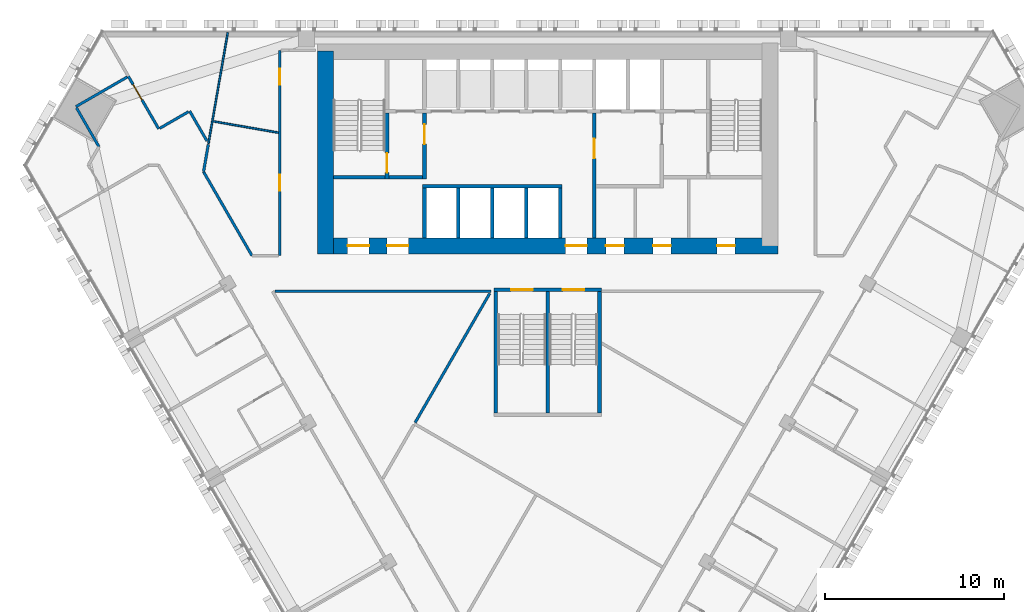
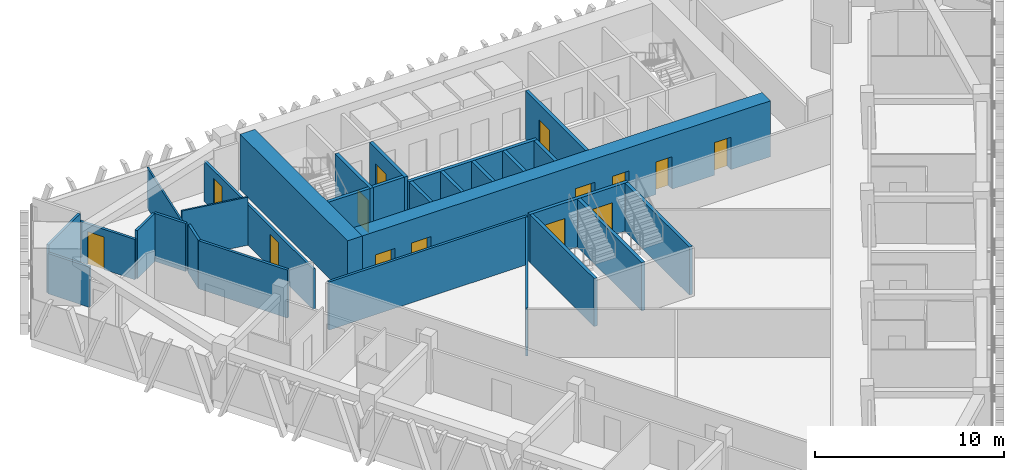
# One storey, part 11 of 16: 29 walls, 14 doors, 14 openings.
"""IFC4 building model written with IfcOpenShell, lengths in metres."""

from ifc_helpers import new_model, si_unit, direction, frame, frame_2d, origin, place, context, subcontext, project, spatial, rectangle, extrude, material, layer, layer_set, type_object, element, fill, save


model = new_model("IFC4")

# Units and contexts
model_context = context("Model", 3, precision=1e-05, world=origin(), true_north=direction((0.0, 1.0)))
body_context = subcontext(model_context, "Body", "Model", "MODEL_VIEW")
ifc_project = project(units=[si_unit("LENGTHUNIT", "METRE"), si_unit("AREAUNIT", "SQUARE_METRE"), si_unit("VOLUMEUNIT", "CUBIC_METRE"), si_unit("PLANEANGLEUNIT", "RADIAN"), si_unit("MASSUNIT", "GRAM", prefix="KILO")], contexts=[model_context])

# Site, building, storey
site_placement = place(None, origin())
site = spatial("IfcSite", under=ifc_project, at=site_placement, CompositionType="ELEMENT")
building_placement = place(site_placement, origin())
building = spatial("IfcBuilding", under=site, at=building_placement, Name="Altiplano Prism Tower", CompositionType="ELEMENT")
storey_placement = place(building_placement, frame((0.0, 0.0, 88.199951171875)))
storey = spatial("IfcBuildingStorey", under=building, at=storey_placement, Name="L22", CompositionType="ELEMENT", Elevation=88.199951171875)

# Wall, openings, doors
ifc_material_1 = material(Name="Concrete C70/85", Category="concrete")
ifc_layer_1 = layer(ifc_material_1, 0.89990234375)
ifc_layer_set_1 = layer_set([ifc_layer_1], Name="Concrete C70/85")
wall_type_1 = type_object("IfcWallType", Name="Core wall 900", PredefinedType="SHEAR", material=ifc_layer_set_1)
wall_1_placement = place(storey_placement, frame((72.550048828125, 92.949951171875, 0.0), z_axis=(0.0, 0.0, 1.0), x_axis=(1.0, 0.0, 0.0)))
wall_1 = element("IfcWall", 1, at=wall_1_placement, inside=storey, type_object=wall_type_1, Name="Core wall S L22", PredefinedType="SHEAR", context=body_context, shape_type="SweptSolid", body=[
    extrude(rectangle(XDim=25.349853515625, YDim=0.89990234375, at=frame_2d((12.6748046875, 0.0))), origin(), (0.0, 0.0, 1.0), 3.60009765625),
])
opening_1_placement = place(wall_1_placement, frame((1.25, 0.0, 0.0)))
opening_1 = element("IfcOpeningElement", 2, at=opening_1_placement, cuts=wall_1, Name="Opening D2887", PredefinedType="OPENING", context=body_context, shape_type="SweptSolid", body=[
    extrude(rectangle(XDim=1.199951171875, YDim=2.10009765625, at=frame_2d((0.60009765625, 1.050048828125))), frame((0.0, 0.46044921875, 0.0), z_axis=(0.0, -1.0, 0.0), x_axis=(1.0, 0.0, 0.0)), (0.0, 0.0, 1.0), 0.9208984375),
])
opening_2_placement = place(wall_1_placement, frame((3.449951171875, 0.0, 0.0)))
opening_2 = element("IfcOpeningElement", 3, at=opening_2_placement, cuts=wall_1, Name="Opening D2888", PredefinedType="OPENING", context=body_context, shape_type="SweptSolid", body=[
    extrude(rectangle(XDim=1.199951171875, YDim=2.10009765625, at=frame_2d((0.60009765625, 1.050048828125))), frame((0.0, 0.46044921875, 0.0), z_axis=(0.0, -1.0, 0.0), x_axis=(1.0, 0.0, 0.0)), (0.0, 0.0, 1.0), 0.9208984375),
])
opening_3_placement = place(wall_1_placement, frame((13.449951171875, 0.0, 0.0)))
opening_3 = element("IfcOpeningElement", 4, at=opening_3_placement, cuts=wall_1, Name="Opening D2889", PredefinedType="OPENING", context=body_context, shape_type="SweptSolid", body=[
    extrude(rectangle(XDim=1.199951171875, YDim=2.10009765625, at=frame_2d((0.60009765625, 1.050048828125))), frame((0.0, 0.46044921875, 0.0), z_axis=(0.0, -1.0, 0.0), x_axis=(1.0, 0.0, 0.0)), (0.0, 0.0, 1.0), 0.9208984375),
])
opening_4_placement = place(wall_1_placement, frame((15.71240234375, 0.0, 0.0)))
opening_4 = element("IfcOpeningElement", 5, at=opening_4_placement, cuts=wall_1, Name="Opening D2892", PredefinedType="OPENING", context=body_context, shape_type="SweptSolid", body=[
    extrude(rectangle(XDim=1.0, YDim=2.10009765625, at=frame_2d((0.5, 1.050048828125))), frame((0.0, 0.46044921875, 0.0), z_axis=(0.0, -1.0, 0.0), x_axis=(1.0, 0.0, 0.0)), (0.0, 0.0, 1.0), 0.9208984375),
])
opening_5_placement = place(wall_1_placement, frame((18.35009765625, 0.0, 0.0)))
opening_5 = element("IfcOpeningElement", 6, at=opening_5_placement, cuts=wall_1, Name="Opening D2893", PredefinedType="OPENING", context=body_context, shape_type="SweptSolid", body=[
    extrude(rectangle(XDim=1.0, YDim=2.10009765625, at=frame_2d((0.5, 1.050048828125))), frame((0.0, 0.46044921875, 0.0), z_axis=(0.0, -1.0, 0.0), x_axis=(1.0, 0.0, 0.0)), (0.0, 0.0, 1.0), 0.9208984375),
])
opening_6_placement = place(wall_1_placement, frame((21.9375, 0.0, 0.0)))
opening_6 = element("IfcOpeningElement", 7, at=opening_6_placement, cuts=wall_1, Name="Opening D2894", PredefinedType="OPENING", context=body_context, shape_type="SweptSolid", body=[
    extrude(rectangle(XDim=1.0, YDim=2.10009765625, at=frame_2d((0.5, 1.050048828125))), frame((0.0, 0.46044921875, 0.0), z_axis=(0.0, -1.0, 0.0), x_axis=(1.0, 0.0, 0.0)), (0.0, 0.0, 1.0), 0.9208984375),
])
ifc_material_2 = material(Name="Fire-rated steel door", Category="steel")
door_type_1 = type_object("IfcDoorType", Name="Core room door 1000 x 2100", OperationType="NOTDEFINED", PredefinedType="NOTDEFINED", material=ifc_material_2)
door_1_placement = place(opening_4_placement, origin())
door_1 = element("IfcDoor", 8, at=door_1_placement, inside=storey, type_object=door_type_1, Name="Core room door D2892", OperationType="SINGLE_SWING_RIGHT", OverallHeight=2.10009765625, OverallWidth=1.0, PredefinedType="NOTDEFINED", context=body_context, shape_type="SweptSolid", body=[
    extrude(rectangle(XDim=1.0, YDim=2.10009765625, at=frame_2d((0.5, 1.050048828125))), frame((0.0, 0.02490234375, 0.0), z_axis=(0.0, -1.0, 0.0), x_axis=(1.0, 0.0, 0.0)), (0.0, 0.0, 1.0), 0.050048828125),
])
fill(opening_4, door_1)
door_2_placement = place(opening_5_placement, origin())
door_2 = element("IfcDoor", 9, at=door_2_placement, inside=storey, type_object=door_type_1, Name="Core room door D2893", OperationType="SINGLE_SWING_LEFT", OverallHeight=2.10009765625, OverallWidth=1.0, PredefinedType="NOTDEFINED", context=body_context, shape_type="SweptSolid", body=[
    extrude(rectangle(XDim=1.0, YDim=2.10009765625, at=frame_2d((0.5, 1.050048828125))), frame((0.0, 0.02490234375, 0.0), z_axis=(0.0, -1.0, 0.0), x_axis=(1.0, 0.0, 0.0)), (0.0, 0.0, 1.0), 0.050048828125),
])
fill(opening_5, door_2)
door_3_placement = place(opening_6_placement, origin())
door_3 = element("IfcDoor", 10, at=door_3_placement, inside=storey, type_object=door_type_1, Name="Core room door D2894", OperationType="SINGLE_SWING_RIGHT", OverallHeight=2.10009765625, OverallWidth=1.0, PredefinedType="NOTDEFINED", context=body_context, shape_type="SweptSolid", body=[
    extrude(rectangle(XDim=1.0, YDim=2.10009765625, at=frame_2d((0.5, 1.050048828125))), frame((0.0, 0.02490234375, 0.0), z_axis=(0.0, -1.0, 0.0), x_axis=(1.0, 0.0, 0.0)), (0.0, 0.0, 1.0), 0.050048828125),
])
fill(opening_6, door_3)
door_type_2 = type_object("IfcDoorType", Name="Lobby fire door 1200 x 2100", OperationType="NOTDEFINED", PredefinedType="NOTDEFINED", material=ifc_material_2)
door_4_placement = place(opening_1_placement, origin())
door_4 = element("IfcDoor", 11, at=door_4_placement, inside=storey, type_object=door_type_2, Name="Lobby fire door D2887", OperationType="SINGLE_SWING_RIGHT", OverallHeight=2.10009765625, OverallWidth=1.199951171875, PredefinedType="NOTDEFINED", context=body_context, shape_type="SweptSolid", body=[
    extrude(rectangle(XDim=1.199951171875, YDim=2.10009765625, at=frame_2d((0.60009765625, 1.050048828125))), frame((0.0, 0.02490234375, 0.0), z_axis=(0.0, -1.0, 0.0), x_axis=(1.0, 0.0, 0.0)), (0.0, 0.0, 1.0), 0.050048828125),
])
fill(opening_1, door_4)
door_5_placement = place(opening_2_placement, origin())
door_5 = element("IfcDoor", 12, at=door_5_placement, inside=storey, type_object=door_type_2, Name="Lobby fire door D2888", OperationType="SINGLE_SWING_LEFT", OverallHeight=2.10009765625, OverallWidth=1.199951171875, PredefinedType="NOTDEFINED", context=body_context, shape_type="SweptSolid", body=[
    extrude(rectangle(XDim=1.199951171875, YDim=2.10009765625, at=frame_2d((0.60009765625, 1.050048828125))), frame((0.0, 0.02490234375, 0.0), z_axis=(0.0, -1.0, 0.0), x_axis=(1.0, 0.0, 0.0)), (0.0, 0.0, 1.0), 0.050048828125),
])
fill(opening_2, door_5)
door_6_placement = place(opening_3_placement, origin())
door_6 = element("IfcDoor", 13, at=door_6_placement, inside=storey, type_object=door_type_2, Name="Lobby fire door D2889", OperationType="SINGLE_SWING_RIGHT", OverallHeight=2.10009765625, OverallWidth=1.199951171875, PredefinedType="NOTDEFINED", context=body_context, shape_type="SweptSolid", body=[
    extrude(rectangle(XDim=1.199951171875, YDim=2.10009765625, at=frame_2d((0.60009765625, 1.050048828125))), frame((0.0, 0.02490234375, 0.0), z_axis=(0.0, -1.0, 0.0), x_axis=(1.0, 0.0, 0.0)), (0.0, 0.0, 1.0), 0.050048828125),
])
fill(opening_3, door_6)

# Walls
wall_2_placement = place(storey_placement, frame((72.550048828125, 103.85009765625, 0.0), z_axis=(0.0, 0.0, 1.0), x_axis=(0.0, -1.0, 0.0)))
element("IfcWall", 14, at=wall_2_placement, inside=storey, type_object=wall_type_1, Name="Core wall W L22", PredefinedType="SHEAR", context=body_context, shape_type="SweptSolid", body=[
    extrude(rectangle(XDim=11.35009765625, YDim=0.89990234375, at=frame_2d((5.675048828125, 0.0))), origin(), (0.0, 0.0, 1.0), 3.60009765625),
])
ifc_material_3 = material(Name="Plasterboard on steel stud", Category="steel")
ifc_layer_2 = layer(ifc_material_3, 0.10009765625)
ifc_layer_set_2 = layer_set([ifc_layer_2], Name="Plasterboard on steel stud")
wall_type_2 = type_object("IfcWallType", Name="Partition 100 wet", PredefinedType="PARTITIONING", material=ifc_layer_set_2)
wall_3_placement = place(storey_placement, frame((66.26611328125, 99.923828125, 0.0), z_axis=(0.0, 0.0, 1.0), x_axis=(0.985204499865, -0.17138288551, 0.0)))
element("IfcWall", 15, at=wall_3_placement, inside=storey, type_object=wall_type_2, Name="Partition P03 L22 045", PredefinedType="PARTITIONING", context=body_context, shape_type="SweptSolid", body=[
    extrude(rectangle(XDim=3.705322265625, YDim=0.10009765625, at=frame_2d((1.8525390625, 0.0))), origin(), (0.0, 0.0, 1.0), 3.10009765625),
])
wall_4_placement = place(storey_placement, frame((67.081298828125, 104.89990234375, 0.0), z_axis=(0.0, 0.0, 1.0), x_axis=(-0.171447216637, -0.985193306873, 0.0)))
element("IfcWall", 16, at=wall_4_placement, inside=storey, type_object=wall_type_2, Name="Partition P03 L22 046", PredefinedType="PARTITIONING", context=body_context, shape_type="SweptSolid", body=[
    extrude(rectangle(XDim=6.3154296875, YDim=0.10009765625, at=frame_2d((3.15771484375, 0.0))), origin(), (0.0, 0.0, 1.0), 2.60009765625),
])

# Wall, openings, doors
ifc_layer_3 = layer(ifc_material_3, 0.14990234375)
ifc_layer_set_3 = layer_set([ifc_layer_3], Name="Plasterboard on steel stud")
wall_type_3 = type_object("IfcWallType", Name="Partition 150 corridor", PredefinedType="PARTITIONING", material=ifc_layer_set_3)
wall_5_placement = place(storey_placement, frame((70.0, 103.89990234375, 0.0), z_axis=(0.0, 0.0, 1.0), x_axis=(0.0, -1.0, 0.0)))
wall_5 = element("IfcWall", 17, at=wall_5_placement, inside=storey, type_object=wall_type_3, Name="Partition P06 L22 003", PredefinedType="PARTITIONING", context=body_context, shape_type="SweptSolid", body=[
    extrude(rectangle(XDim=11.5, YDim=0.14990234375, at=frame_2d((5.75, 0.0))), origin(), (0.0, 0.0, 1.0), 2.60009765625),
])
opening_7_placement = place(wall_5_placement, frame((1.030029296875, 0.0, 0.0)))
opening_7 = element("IfcOpeningElement", 18, at=opening_7_placement, cuts=wall_5, Name="Opening D0816", PredefinedType="OPENING", context=body_context, shape_type="SweptSolid", body=[
    extrude(rectangle(XDim=0.89990234375, YDim=2.10009765625, at=frame_2d((0.449951171875, 1.050048828125))), frame((0.0, 0.08544921875, 0.0), z_axis=(0.0, -1.0, 0.0), x_axis=(1.0, 0.0, 0.0)), (0.0, 0.0, 1.0), 0.1708984375),
])
opening_8_placement = place(wall_5_placement, frame((6.964111328125, 0.0, 0.0)))
opening_8 = element("IfcOpeningElement", 19, at=opening_8_placement, cuts=wall_5, Name="Opening D0817", PredefinedType="OPENING", context=body_context, shape_type="SweptSolid", body=[
    extrude(rectangle(XDim=0.89990234375, YDim=2.10009765625, at=frame_2d((0.449951171875, 1.050048828125))), frame((0.0, 0.08544921875, 0.0), z_axis=(0.0, -1.0, 0.0), x_axis=(1.0, 0.0, 0.0)), (0.0, 0.0, 1.0), 0.1708984375),
])
ifc_material_4 = material(Name="Timber", Category="wood")
door_type_3 = type_object("IfcDoorType", Name="Toilet door 900 x 2100", OperationType="NOTDEFINED", PredefinedType="NOTDEFINED", material=ifc_material_4)
door_7_placement = place(opening_7_placement, origin())
door_7 = element("IfcDoor", 20, at=door_7_placement, inside=storey, type_object=door_type_3, Name="Door D0816", OperationType="SINGLE_SWING_LEFT", OverallHeight=2.10009765625, OverallWidth=0.89990234375, PredefinedType="NOTDEFINED", context=body_context, shape_type="SweptSolid", body=[
    extrude(rectangle(XDim=0.89990234375, YDim=2.10009765625, at=frame_2d((0.449951171875, 1.050048828125))), frame((0.0, 0.02490234375, 0.0), z_axis=(0.0, -1.0, 0.0), x_axis=(1.0, 0.0, 0.0)), (0.0, 0.0, 1.0), 0.050048828125),
])
fill(opening_7, door_7)
door_8_placement = place(opening_8_placement, origin())
door_8 = element("IfcDoor", 21, at=door_8_placement, inside=storey, type_object=door_type_3, Name="Door D0817", OperationType="SINGLE_SWING_RIGHT", OverallHeight=2.10009765625, OverallWidth=0.89990234375, PredefinedType="NOTDEFINED", context=body_context, shape_type="SweptSolid", body=[
    extrude(rectangle(XDim=0.89990234375, YDim=2.10009765625, at=frame_2d((0.449951171875, 1.050048828125))), frame((0.0, 0.02490234375, 0.0), z_axis=(0.0, -1.0, 0.0), x_axis=(1.0, 0.0, 0.0)), (0.0, 0.0, 1.0), 0.050048828125),
])
fill(opening_8, door_8)

# Walls
wall_6_placement = place(storey_placement, frame((68.43603515625, 92.39990234375, 0.0), z_axis=(0.0, 0.0, 1.0), x_axis=(-0.499982159162, 0.866035703952, 0.0)))
element("IfcWall", 22, at=wall_6_placement, inside=storey, type_object=wall_type_3, Name="Partition P06 L22 005", PredefinedType="PARTITIONING", context=body_context, shape_type="SweptSolid", body=[
    extrude(rectangle(XDim=5.425048828125, YDim=0.14990234375, at=frame_2d((2.71240234375, 0.0))), origin(), (0.0, 0.0, 1.0), 3.10009765625),
])
wall_7_placement = place(storey_placement, frame((65.7236328125, 97.09814453125, 0.0), z_axis=(0.0, 0.0, 1.0), x_axis=(0.17154650213, 0.985176023666, 0.0)))
element("IfcWall", 23, at=wall_7_placement, inside=storey, type_object=wall_type_3, Name="Partition P06 L22 006", PredefinedType="PARTITIONING", context=body_context, shape_type="SweptSolid", body=[
    extrude(rectangle(XDim=1.555419921875, YDim=0.14990234375, at=frame_2d((0.77783203125, 0.0))), origin(), (0.0, 0.0, 1.0), 3.10009765625),
])
wall_8_placement = place(storey_placement, frame((65.914794921875, 98.8232421875, 0.0), z_axis=(0.0, 0.0, 1.0), x_axis=(-0.500449803305, 0.86576555393, 0.0)))
element("IfcWall", 24, at=wall_8_placement, inside=storey, type_object=wall_type_3, Name="Partition P06 L22 007", PredefinedType="PARTITIONING", context=body_context, shape_type="SweptSolid", body=[
    extrude(rectangle(XDim=1.936767578125, YDim=0.14990234375, at=frame_2d((0.96826171875, 0.0))), origin(), (0.0, 0.0, 1.0), 3.10009765625),
])
wall_9_placement = place(storey_placement, frame((64.880615234375, 100.46240234375, 0.0), z_axis=(0.0, 0.0, 1.0), x_axis=(-0.866058118026, -0.49994333299, 0.0)))
element("IfcWall", 25, at=wall_9_placement, inside=storey, type_object=wall_type_3, Name="Partition P06 L22 008", PredefinedType="PARTITIONING", context=body_context, shape_type="SweptSolid", body=[
    extrude(rectangle(XDim=1.849853515625, YDim=0.14990234375, at=frame_2d((0.9248046875, 0.0))), origin(), (0.0, 0.0, 1.0), 3.10009765625),
])

# Wall, opening, door
wall_10_placement = place(storey_placement, frame((63.213623046875, 99.5, 0.0), z_axis=(0.0, 0.0, 1.0), x_axis=(-0.50003140069, 0.866007273829, 0.0)))
wall_10 = element("IfcWall", 26, at=wall_10_placement, inside=storey, type_object=wall_type_3, Name="Partition P06 L22 009", PredefinedType="PARTITIONING", context=body_context, shape_type="SweptSolid", body=[
    extrude(rectangle(XDim=3.420166015625, YDim=0.14990234375, at=frame_2d((1.7099609375, 0.0))), origin(), (0.0, 0.0, 1.0), 2.60009765625),
])
opening_9_placement = place(wall_10_placement, frame((1.873046875, 0.0, 0.0)))
opening_9 = element("IfcOpeningElement", 27, at=opening_9_placement, cuts=wall_10, Name="Opening D0818", PredefinedType="OPENING", context=body_context, shape_type="SweptSolid", body=[
    extrude(rectangle(XDim=1.0, YDim=2.10009765625, at=frame_2d((0.5, 1.050048828125))), frame((0.0, 0.08544921875, 0.0), z_axis=(0.0, -1.0, 0.0), x_axis=(1.0, 0.0, 0.0)), (0.0, 0.0, 1.0), 0.1708984375),
])
door_type_4 = type_object("IfcDoorType", Name="Store door 1000 x 2100", OperationType="NOTDEFINED", PredefinedType="NOTDEFINED", material=ifc_material_4)
door_9_placement = place(opening_9_placement, origin())
door_9 = element("IfcDoor", 28, at=door_9_placement, inside=storey, type_object=door_type_4, Name="Door D0818", OperationType="SINGLE_SWING_LEFT", OverallHeight=2.10009765625, OverallWidth=1.0, PredefinedType="NOTDEFINED", context=body_context, shape_type="SweptSolid", body=[
    extrude(rectangle(XDim=1.0, YDim=2.10009765625, at=frame_2d((0.5, 1.050048828125))), frame((0.0, 0.02490234375, 0.0), z_axis=(0.0, -1.0, 0.0), x_axis=(1.0, 0.0, 0.0)), (0.0, 0.0, 1.0), 0.050048828125),
])
fill(opening_9, door_9)

# Walls
wall_11_placement = place(storey_placement, frame((61.448486328125, 102.406982421875, 0.0), z_axis=(0.0, 0.0, 1.0), x_axis=(-0.866002163101, -0.500040251884, 0.0)))
element("IfcWall", 29, at=wall_11_placement, inside=storey, type_object=wall_type_3, Name="Partition P06 L22 010", PredefinedType="PARTITIONING", context=body_context, shape_type="SweptSolid", body=[
    extrude(rectangle(XDim=3.324951171875, YDim=0.14990234375, at=frame_2d((1.66259765625, 0.0))), origin(), (0.0, 0.0, 1.0), 3.10009765625),
])
wall_12_placement = place(storey_placement, frame((58.6064453125, 100.679443359375, 0.0), z_axis=(0.0, 0.0, 1.0), x_axis=(0.500072327845, -0.865983641256, 0.0)))
element("IfcWall", 30, at=wall_12_placement, inside=storey, type_object=wall_type_3, Name="Partition P06 L22 011", PredefinedType="PARTITIONING", context=body_context, shape_type="SweptSolid", body=[
    extrude(rectangle(XDim=2.516845703125, YDim=0.14990234375, at=frame_2d((1.25830078125, 0.0))), origin(), (0.0, 0.0, 1.0), 2.60009765625),
])
wall_13_placement = place(storey_placement, frame((69.720703125, 90.39990234375, 0.0), z_axis=(0.0, 0.0, 1.0), x_axis=(0.999999996742, -8.0721651e-05, 0.0)))
element("IfcWall", 31, at=wall_13_placement, inside=storey, type_object=wall_type_3, Name="Partition P06 L22 043", PredefinedType="PARTITIONING", context=body_context, shape_type="SweptSolid", body=[
    extrude(rectangle(XDim=12.097900390625, YDim=0.14990234375, at=frame_2d((6.048828125, 0.0))), origin(), (0.0, 0.0, 1.0), 3.10009765625),
])
ifc_layer_4 = layer(ifc_material_3, 0.14990234375)
ifc_layer_set_4 = layer_set([ifc_layer_4], Name="Plasterboard on steel stud")
wall_type_4 = type_object("IfcWallType", Name="Partition 150 party", PredefinedType="PARTITIONING", material=ifc_layer_set_4)
wall_14_placement = place(storey_placement, frame((81.753662109375, 90.28662109375, 0.0), z_axis=(0.0, 0.0, 1.0), x_axis=(-0.500002199304, -0.866024134012, 0.0)))
element("IfcWall", 32, at=wall_14_placement, inside=storey, type_object=wall_type_4, Name="Partition P01 L22 081", PredefinedType="PARTITIONING", context=body_context, shape_type="SweptSolid", body=[
    extrude(rectangle(XDim=8.3603515625, YDim=0.14990234375, at=frame_2d((4.18017578125, 0.0))), origin(), (0.0, 0.0, 1.0), 3.10009765625),
])
ifc_material_5 = material(Name="Concrete C60/75", Category="concrete")
ifc_layer_5 = layer(ifc_material_5, 0.199951171875)
ifc_layer_set_5 = layer_set([ifc_layer_5], Name="Concrete C60/75")
wall_type_5 = type_object("IfcWallType", Name="Shaft wall 200", PredefinedType="SOLIDWALL", material=ifc_layer_set_5)
for number, where, z_axis, x_axis, name in (
    (33, (78.10009765625, 93.39990234375, 0.0), (0.0, 0.0, 1.0), (0.0, 1.0, 0.0), "Shaft wall L22"),
    (34, (80.0, 93.39990234375, 0.0), (0.0, 0.0, 1.0), (0.0, 1.0, 0.0), "Shaft wall L22"),
    (35, (81.89990234375, 93.39990234375, 0.0), (0.0, 0.0, 1.0), (0.0, 1.0, 0.0), "Shaft wall L22"),
    (36, (83.800048828125, 93.39990234375, 0.0), (0.0, 0.0, 1.0), (0.0, 1.0, 0.0), "Shaft wall L22"),
    (37, (85.699951171875, 93.39990234375, 0.0), (0.0, 0.0, 1.0), (0.0, 1.0, 0.0), "Shaft wall L22"),
):
    element("IfcWall", number, at=place(storey_placement, frame(where, z_axis=z_axis, x_axis=x_axis)), inside=storey, type_object=wall_type_5, Name=name, PredefinedType="SOLIDWALL", context=body_context, shape_type="SweptSolid", body=[
        extrude(rectangle(XDim=2.800048828125, YDim=0.199951171875, at=frame_2d((1.39990234375, 0.0))), origin(), (0.0, 0.0, 1.0), 3.10009765625),
    ])
wall_15_placement = place(storey_placement, frame((78.0, 96.300048828125, 0.0), z_axis=(0.0, 0.0, 1.0), x_axis=(1.0, 0.0, 0.0)))
element("IfcWall", 38, at=wall_15_placement, inside=storey, type_object=wall_type_5, Name="Shaft wall L22", PredefinedType="SOLIDWALL", context=body_context, shape_type="SweptSolid", body=[
    extrude(rectangle(XDim=7.800048828125, YDim=0.199951171875, at=frame_2d((3.89990234375, 0.0))), origin(), (0.0, 0.0, 1.0), 3.10009765625),
])
ifc_layer_6 = layer(ifc_material_5, 0.199951171875)
ifc_layer_set_6 = layer_set([ifc_layer_6], Name="Concrete C60/75")
wall_type_6 = type_object("IfcWallType", Name="Stair wall 200", PredefinedType="SOLIDWALL", material=ifc_layer_set_6)
wall_16_placement = place(storey_placement, frame((73.0, 96.800048828125, 0.0), z_axis=(0.0, 0.0, 1.0), x_axis=(1.0, 0.0, 0.0)))
element("IfcWall", 39, at=wall_16_placement, inside=storey, type_object=wall_type_6, Name="Stair wall L22", PredefinedType="SOLIDWALL", context=body_context, shape_type="SweptSolid", body=[
    extrude(rectangle(XDim=2.89990234375, YDim=0.199951171875, at=frame_2d((1.449951171875, 0.0))), origin(), (0.0, 0.0, 1.0), 3.10009765625),
])

# Wall, opening, door
wall_17_placement = place(storey_placement, frame((76.0, 96.699951171875, 0.0), z_axis=(0.0, 0.0, 1.0), x_axis=(0.0, 1.0, 0.0)))
wall_17 = element("IfcWall", 40, at=wall_17_placement, inside=storey, type_object=wall_type_6, Name="Stair wall L22", PredefinedType="SOLIDWALL", context=body_context, shape_type="SweptSolid", body=[
    extrude(rectangle(XDim=3.699951171875, YDim=0.199951171875, at=frame_2d((1.85009765625, 0.0))), origin(), (0.0, 0.0, 1.0), 3.10009765625),
])
opening_10_placement = place(wall_17_placement, frame((0.35009765625, 0.0, 0.0)))
opening_10 = element("IfcOpeningElement", 41, at=opening_10_placement, cuts=wall_17, Name="Opening D2882", PredefinedType="OPENING", context=body_context, shape_type="SweptSolid", body=[
    extrude(rectangle(XDim=1.10009765625, YDim=2.10009765625, at=frame_2d((0.550048828125, 1.050048828125))), frame((0.0, 0.1103515625, 0.0), z_axis=(0.0, -1.0, 0.0), x_axis=(1.0, 0.0, 0.0)), (0.0, 0.0, 1.0), 0.220947265625),
])
door_type_5 = type_object("IfcDoorType", Name="Stair fire door 1100 x 2100", OperationType="NOTDEFINED", PredefinedType="NOTDEFINED", material=ifc_material_2)
door_10_placement = place(opening_10_placement, origin())
door_10 = element("IfcDoor", 42, at=door_10_placement, inside=storey, type_object=door_type_5, Name="Stair fire door D2882", OperationType="SINGLE_SWING_RIGHT", OverallHeight=2.10009765625, OverallWidth=1.10009765625, PredefinedType="NOTDEFINED", context=body_context, shape_type="SweptSolid", body=[
    extrude(rectangle(XDim=1.10009765625, YDim=2.10009765625, at=frame_2d((0.550048828125, 1.050048828125))), frame((0.0, 0.02490234375, 0.0), z_axis=(0.0, -1.0, 0.0), x_axis=(1.0, 0.0, 0.0)), (0.0, 0.0, 1.0), 0.050048828125),
])
fill(opening_10, door_10)

# Wall, openings, doors
wall_18_placement = place(storey_placement, frame((82.0, 90.5, 0.0), z_axis=(0.0, 0.0, 1.0), x_axis=(1.0, 0.0, 0.0)))
wall_18 = element("IfcWall", 43, at=wall_18_placement, inside=storey, type_object=wall_type_6, Name="Stair 3 wall north L22", PredefinedType="SOLIDWALL", context=body_context, shape_type="SweptSolid", body=[
    extrude(rectangle(XDim=6.0, YDim=0.199951171875, at=frame_2d((3.0, 0.0))), origin(), (0.0, 0.0, 1.0), 3.10009765625),
])
opening_11_placement = place(wall_18_placement, frame((0.949951171875, 0.0, 0.0)))
opening_11 = element("IfcOpeningElement", 44, at=opening_11_placement, cuts=wall_18, Name="Opening D3966", PredefinedType="OPENING", context=body_context, shape_type="SweptSolid", body=[
    extrude(rectangle(XDim=1.199951171875, YDim=2.10009765625, at=frame_2d((0.60009765625, 1.050048828125))), frame((0.0, 0.1103515625, 0.0), z_axis=(0.0, -1.0, 0.0), x_axis=(1.0, 0.0, 0.0)), (0.0, 0.0, 1.0), 0.220947265625),
])
opening_12_placement = place(wall_18_placement, frame((3.85009765625, 0.0, 0.0)))
opening_12 = element("IfcOpeningElement", 45, at=opening_12_placement, cuts=wall_18, Name="Opening D3967", PredefinedType="OPENING", context=body_context, shape_type="SweptSolid", body=[
    extrude(rectangle(XDim=1.199951171875, YDim=2.10009765625, at=frame_2d((0.60009765625, 1.050048828125))), frame((0.0, 0.1103515625, 0.0), z_axis=(0.0, -1.0, 0.0), x_axis=(1.0, 0.0, 0.0)), (0.0, 0.0, 1.0), 0.220947265625),
])
door_type_6 = type_object("IfcDoorType", Name="Stair fire door 1200 x 2100", OperationType="NOTDEFINED", PredefinedType="NOTDEFINED", material=ifc_material_2)
door_11_placement = place(opening_11_placement, origin())
door_11 = element("IfcDoor", 46, at=door_11_placement, inside=storey, type_object=door_type_6, Name="Stair fire door D3966", OperationType="SINGLE_SWING_LEFT", OverallHeight=2.10009765625, OverallWidth=1.199951171875, PredefinedType="NOTDEFINED", context=body_context, shape_type="SweptSolid", body=[
    extrude(rectangle(XDim=1.199951171875, YDim=2.10009765625, at=frame_2d((0.60009765625, 1.050048828125))), frame((0.0, 0.02490234375, 0.0), z_axis=(0.0, -1.0, 0.0), x_axis=(1.0, 0.0, 0.0)), (0.0, 0.0, 1.0), 0.050048828125),
])
fill(opening_11, door_11)
door_12_placement = place(opening_12_placement, origin())
door_12 = element("IfcDoor", 47, at=door_12_placement, inside=storey, type_object=door_type_6, Name="Stair fire door D3967", OperationType="SINGLE_SWING_LEFT", OverallHeight=2.10009765625, OverallWidth=1.199951171875, PredefinedType="NOTDEFINED", context=body_context, shape_type="SweptSolid", body=[
    extrude(rectangle(XDim=1.199951171875, YDim=2.10009765625, at=frame_2d((0.60009765625, 1.050048828125))), frame((0.0, 0.02490234375, 0.0), z_axis=(0.0, -1.0, 0.0), x_axis=(1.0, 0.0, 0.0)), (0.0, 0.0, 1.0), 0.050048828125),
])
fill(opening_12, door_12)

# Walls
for number, where, z_axis, x_axis, name in (
    (48, (82.10009765625, 83.60009765625, 0.0), (0.0, 0.0, 1.0), (0.0, 1.0, 0.0), "Stair 3 wall west L22"),
    (49, (87.89990234375, 83.60009765625, 0.0), (0.0, 0.0, 1.0), (0.0, 1.0, 0.0), "Stair 3 wall east L22"),
    (50, (85.0, 83.60009765625, 0.0), (0.0, 0.0, 1.0), (0.0, 1.0, 0.0), "Stair 3 wall divider L22"),
):
    element("IfcWall", number, at=place(storey_placement, frame(where, z_axis=z_axis, x_axis=x_axis)), inside=storey, type_object=wall_type_6, Name=name, PredefinedType="SOLIDWALL", context=body_context, shape_type="SweptSolid", body=[
        extrude(rectangle(XDim=6.7998046875, YDim=0.199951171875, at=frame_2d((3.39990234375, 0.0))), origin(), (0.0, 0.0, 1.0), 3.10009765625),
    ])

# Wall, opening, door
ifc_layer_7 = layer(ifc_material_5, 0.199951171875)
ifc_layer_set_7 = layer_set([ifc_layer_7], Name="Concrete C60/75")
wall_type_7 = type_object("IfcWallType", Name="Vestibule wall 200", PredefinedType="PARTITIONING", material=ifc_layer_set_7)
wall_19_placement = place(storey_placement, frame((87.60009765625, 93.39990234375, 0.0), z_axis=(0.0, 0.0, 1.0), x_axis=(0.0, 1.0, 0.0)))
wall_19 = element("IfcWall", 51, at=wall_19_placement, inside=storey, type_object=wall_type_7, Name="Vestibule wall L22", PredefinedType="PARTITIONING", context=body_context, shape_type="SweptSolid", body=[
    extrude(rectangle(XDim=7.0, YDim=0.199951171875, at=frame_2d((3.5, 0.0))), origin(), (0.0, 0.0, 1.0), 3.10009765625),
])
opening_13_placement = place(wall_19_placement, frame((4.449951171875, 0.0, 0.0)))
opening_13 = element("IfcOpeningElement", 52, at=opening_13_placement, cuts=wall_19, Name="Opening D2885", PredefinedType="OPENING", context=body_context, shape_type="SweptSolid", body=[
    extrude(rectangle(XDim=1.10009765625, YDim=2.10009765625, at=frame_2d((0.550048828125, 1.050048828125))), frame((0.0, 0.1103515625, 0.0), z_axis=(0.0, -1.0, 0.0), x_axis=(1.0, 0.0, 0.0)), (0.0, 0.0, 1.0), 0.220947265625),
])
door_type_7 = type_object("IfcDoorType", Name="Vestibule fire door 1100 x 2100", OperationType="NOTDEFINED", PredefinedType="NOTDEFINED", material=ifc_material_2)
door_13_placement = place(opening_13_placement, origin())
door_13 = element("IfcDoor", 53, at=door_13_placement, inside=storey, type_object=door_type_7, Name="Vestibule fire door D2885", OperationType="SINGLE_SWING_RIGHT", OverallHeight=2.10009765625, OverallWidth=1.10009765625, PredefinedType="NOTDEFINED", context=body_context, shape_type="SweptSolid", body=[
    extrude(rectangle(XDim=1.10009765625, YDim=2.10009765625, at=frame_2d((0.550048828125, 1.050048828125))), frame((0.0, 0.02490234375, 0.0), z_axis=(0.0, -1.0, 0.0), x_axis=(1.0, 0.0, 0.0)), (0.0, 0.0, 1.0), 0.050048828125),
])
fill(opening_13, door_13)

# Wall
wall_20_placement = place(storey_placement, frame((76.10009765625, 96.800048828125, 0.0), z_axis=(0.0, 0.0, 1.0), x_axis=(1.0, 0.0, 0.0)))
element("IfcWall", 54, at=wall_20_placement, inside=storey, type_object=wall_type_7, Name="Vestibule wall L22", PredefinedType="PARTITIONING", context=body_context, shape_type="SweptSolid", body=[
    extrude(rectangle(XDim=1.89990234375, YDim=0.199951171875, at=frame_2d((0.949951171875, 0.0))), origin(), (0.0, 0.0, 1.0), 3.10009765625),
])

# Wall, opening, door
wall_21_placement = place(storey_placement, frame((78.10009765625, 96.699951171875, 0.0), z_axis=(0.0, 0.0, 1.0), x_axis=(0.0, 1.0, 0.0)))
wall_21 = element("IfcWall", 55, at=wall_21_placement, inside=storey, type_object=wall_type_7, Name="Vestibule wall L22", PredefinedType="PARTITIONING", context=body_context, shape_type="SweptSolid", body=[
    extrude(rectangle(XDim=3.699951171875, YDim=0.199951171875, at=frame_2d((1.85009765625, 0.0))), origin(), (0.0, 0.0, 1.0), 3.10009765625),
])
opening_14_placement = place(wall_21_placement, frame((1.949951171875, 0.0, 0.0)))
opening_14 = element("IfcOpeningElement", 56, at=opening_14_placement, cuts=wall_21, Name="Opening D2884", PredefinedType="OPENING", context=body_context, shape_type="SweptSolid", body=[
    extrude(rectangle(XDim=1.10009765625, YDim=2.10009765625, at=frame_2d((0.550048828125, 1.050048828125))), frame((0.0, 0.1103515625, 0.0), z_axis=(0.0, -1.0, 0.0), x_axis=(1.0, 0.0, 0.0)), (0.0, 0.0, 1.0), 0.220947265625),
])
door_14_placement = place(opening_14_placement, origin())
door_14 = element("IfcDoor", 57, at=door_14_placement, inside=storey, type_object=door_type_7, Name="Vestibule fire door D2884", OperationType="SINGLE_SWING_LEFT", OverallHeight=2.10009765625, OverallWidth=1.10009765625, PredefinedType="NOTDEFINED", context=body_context, shape_type="SweptSolid", body=[
    extrude(rectangle(XDim=1.10009765625, YDim=2.10009765625, at=frame_2d((0.550048828125, 1.050048828125))), frame((0.0, 0.02490234375, 0.0), z_axis=(0.0, -1.0, 0.0), x_axis=(1.0, 0.0, 0.0)), (0.0, 0.0, 1.0), 0.050048828125),
])
fill(opening_14, door_14)

save(model, "model.ifc")
